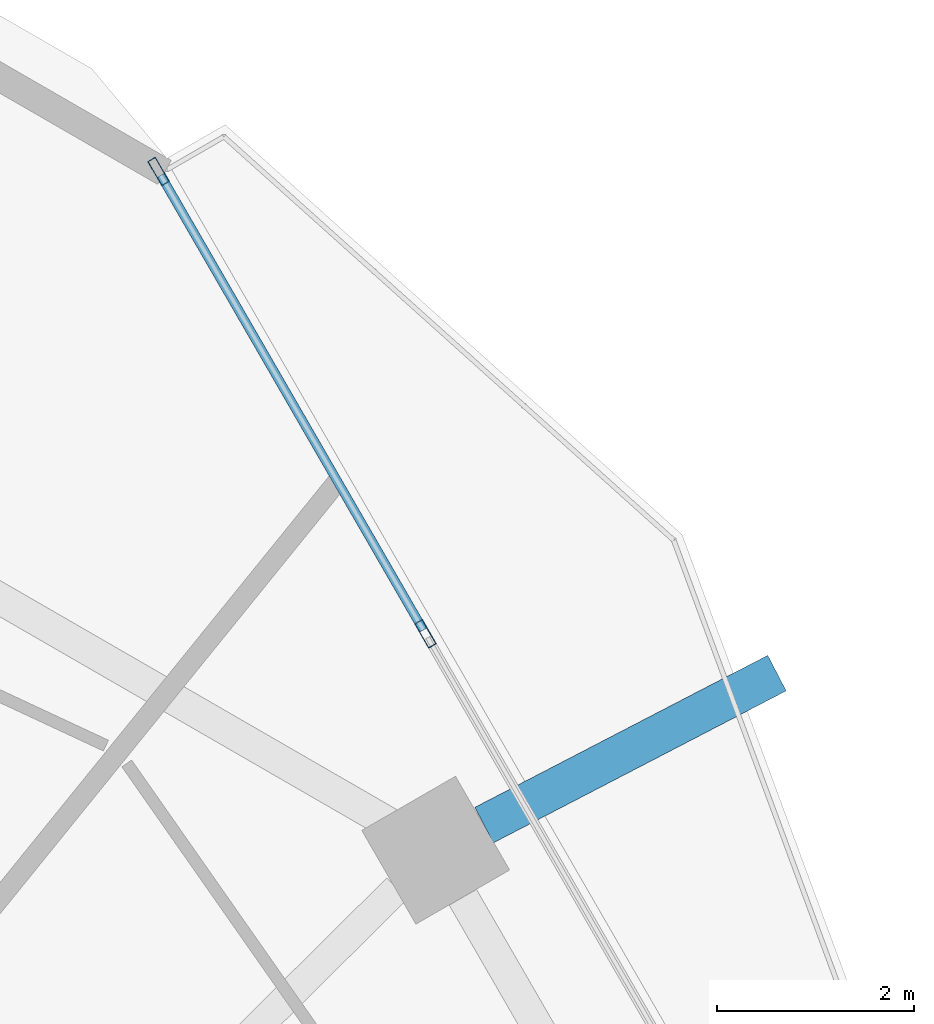
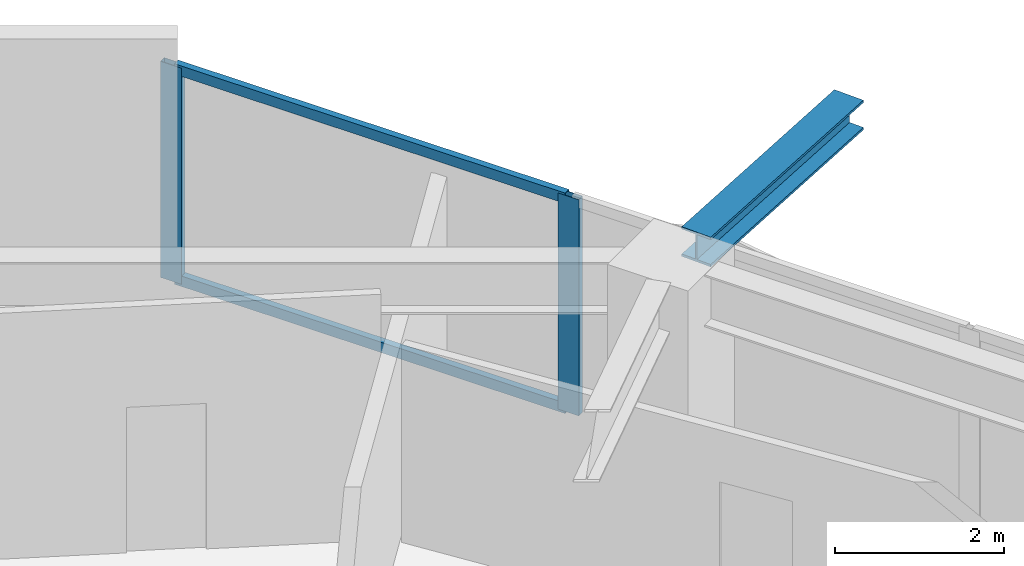
# One storey, part 21 of 32: 4 members, 1 beam, 1 element without a shape of its own.
"""IFC4 building model written with IfcOpenShell, lengths in metres."""

from ifc_helpers import new_model, si_unit, direction, frame, origin, origin_2d, place, context, subcontext, project, spatial, hollow_rectangle, i_section, extrude, material, material_profile, profile_set, type_object, element, aggregate, save


model = new_model("IFC4")

# Units and contexts
model_context = context("Model", 3, precision=1e-05, world=origin(), true_north=direction((0.0, 1.0)))
body_context = subcontext(model_context, "Body", "Model", "MODEL_VIEW")
ifc_project = project(units=[si_unit("LENGTHUNIT", "METRE"), si_unit("AREAUNIT", "SQUARE_METRE"), si_unit("VOLUMEUNIT", "CUBIC_METRE"), si_unit("PLANEANGLEUNIT", "RADIAN"), si_unit("MASSUNIT", "GRAM", prefix="KILO")], contexts=[model_context])

# Site, building, storey
site_placement = place(None, origin())
site = spatial("IfcSite", under=ifc_project, at=site_placement, CompositionType="ELEMENT")
building_placement = place(site_placement, origin())
building = spatial("IfcBuilding", under=site, at=building_placement, Name="Zuhravey Tower", CompositionType="ELEMENT")
storey_placement = place(building_placement, frame((0.0, 0.0, 111.39990234375)))
storey = spatial("IfcBuildingStorey", under=building, at=storey_placement, Name="L27", CompositionType="ELEMENT", Elevation=111.39990234375)

# Curtain wall, members
ifc_material_1 = material(Name="Thermally broken anodised aluminium", Category="aluminium")
curtain_wall_type = type_object("IfcCurtainWallType", Name="Zone 1-2 Residential Curtain Wall CW3", PredefinedType="NOTDEFINED", material=ifc_material_1)
curtain_wall_placement = place(storey_placement, origin())
curtain_wall = element("IfcCurtainWall", 1, at=curtain_wall_placement, inside=storey, type_object=curtain_wall_type, Name="L27 CW3 CW-L27-F1-1", PredefinedType="NOTDEFINED")
ifc_material_2 = material(Name="Anodised aluminium", Category="aluminium")
ifc_material_profile_1 = material_profile(ifc_material_2, hollow_rectangle(XDim=0.090087890625, YDim=0.284912109375, WallThickness=0.0048828125, at=origin_2d()), Name="ALU-RHS-90x285x5")
ifc_profile_set_1 = profile_set([ifc_material_profile_1], Name="Anodised aluminium")
member_type_1 = type_object("IfcMemberType", Name="Curtain-Wall Mullion 90x180", PredefinedType="MULLION", material=ifc_profile_set_1)
member_1_placement = place(storey_placement, frame((53.701416015625, 59.257080078125, 0.0), z_axis=(0.0, 0.0, 1.0), x_axis=(0.86602532644, 0.500000133964, 0.0)))
member_1 = element("IfcMember", 2, at=member_1_placement, type_object=member_type_1, Name="CW3 mullion 1", PredefinedType="MULLION", context=body_context, shape_type="SweptSolid", body=[
    extrude(hollow_rectangle(XDim=0.090087890625, YDim=0.284912109375, WallThickness=0.0048828125, at=origin_2d()), origin(), (0.0, 0.0, 1.0), 3.1220703125),
])
member_2_placement = place(storey_placement, frame((56.415283203125, 54.556640625, 0.0), z_axis=(0.0, 0.0, 1.0), x_axis=(0.86602532644, 0.500000133964, 0.0)))
member_2 = element("IfcMember", 3, at=member_2_placement, type_object=member_type_1, Name="CW3 mullion 2", PredefinedType="MULLION", context=body_context, shape_type="SweptSolid", body=[
    extrude(hollow_rectangle(XDim=0.090087890625, YDim=0.284912109375, WallThickness=0.0048828125, at=origin_2d()), origin(), (0.0, 0.0, 1.0), 3.1220703125),
])
ifc_material_profile_2 = material_profile(ifc_material_2, hollow_rectangle(XDim=0.090087890625, YDim=0.14990234375, WallThickness=0.0048828125, at=origin_2d()), Name="ALU-RHS-90x150x5")
ifc_profile_set_2 = profile_set([ifc_material_profile_2], Name="Anodised aluminium")
member_type_2 = type_object("IfcMemberType", Name="Curtain-Wall Transom 90x150", PredefinedType="USERDEFINED", material=ifc_profile_set_2)
member_3_placement = place(storey_placement, frame((53.72412109375, 59.218017578125, 0.045166015625), z_axis=(0.499981132346, -0.866036296756, 0.0), x_axis=(0.866036296756, 0.499981132346, 0.0)))
member_3 = element("IfcMember", 4, at=member_3_placement, type_object=member_type_2, Name="CW3 transom 1.1", ObjectType="TRANSOM", PredefinedType="USERDEFINED", context=body_context, shape_type="SweptSolid", body=[
    extrude(hollow_rectangle(XDim=0.090087890625, YDim=0.14990234375, WallThickness=0.0048828125, at=origin_2d()), origin(), (0.0, 0.0, 1.0), 5.337646484375),
])
member_4_placement = place(storey_placement, frame((53.72412109375, 59.218017578125, 3.0771484375), z_axis=(0.499981132346, -0.866036296756, 0.0), x_axis=(0.866036296756, 0.499981132346, 0.0)))
member_4 = element("IfcMember", 5, at=member_4_placement, type_object=member_type_2, Name="CW3 transom 1.2", ObjectType="TRANSOM", PredefinedType="USERDEFINED", context=body_context, shape_type="SweptSolid", body=[
    extrude(hollow_rectangle(XDim=0.090087890625, YDim=0.14990234375, WallThickness=0.0048828125, at=origin_2d()), origin(), (0.0, 0.0, 1.0), 5.337646484375),
])
aggregate(curtain_wall, [member_1, member_2, member_3, member_4])

# Beam
ifc_material_3 = material(Name="Steel SM460", Category="steel")
ifc_material_profile_3 = material_profile(ifc_material_3, i_section(OverallWidth=0.406982421875, OverallDepth=0.427978515625, WebThickness=0.02001953125, FlangeThickness=0.034912109375, at=origin_2d()), Name="H-428x407x20x35")
ifc_profile_set_3 = profile_set([ifc_material_profile_3], Name="Steel SM460")
beam_type = type_object("IfcBeamType", Name="Exoskeleton Node Tie Beam H428x407", PredefinedType="BEAM", material=ifc_profile_set_3)
beam_placement = place(storey_placement, frame((57.01123046875, 52.6123046875, 3.336181640625), z_axis=(0.887601373012, 0.460612421269, 0.0), x_axis=(-0.460612421269, 0.887601373012, 0.0)))
element("IfcBeam", 6, at=beam_placement, inside=storey, type_object=beam_type, Name="L27 Exoskeleton Node Tie NT1-02", PredefinedType="BEAM", context=body_context, shape_type="SweptSolid", body=[
    extrude(i_section(OverallWidth=0.406982421875, OverallDepth=0.427978515625, WebThickness=0.02001953125, FlangeThickness=0.034912109375, at=origin_2d()), origin(), (0.0, 0.0, 1.0), 3.3544921875),
])

save(model, "model.ifc")
